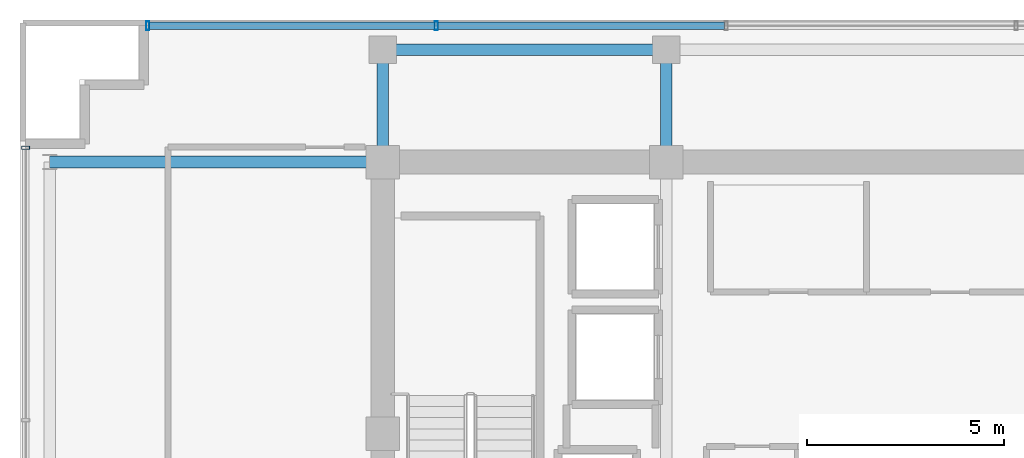
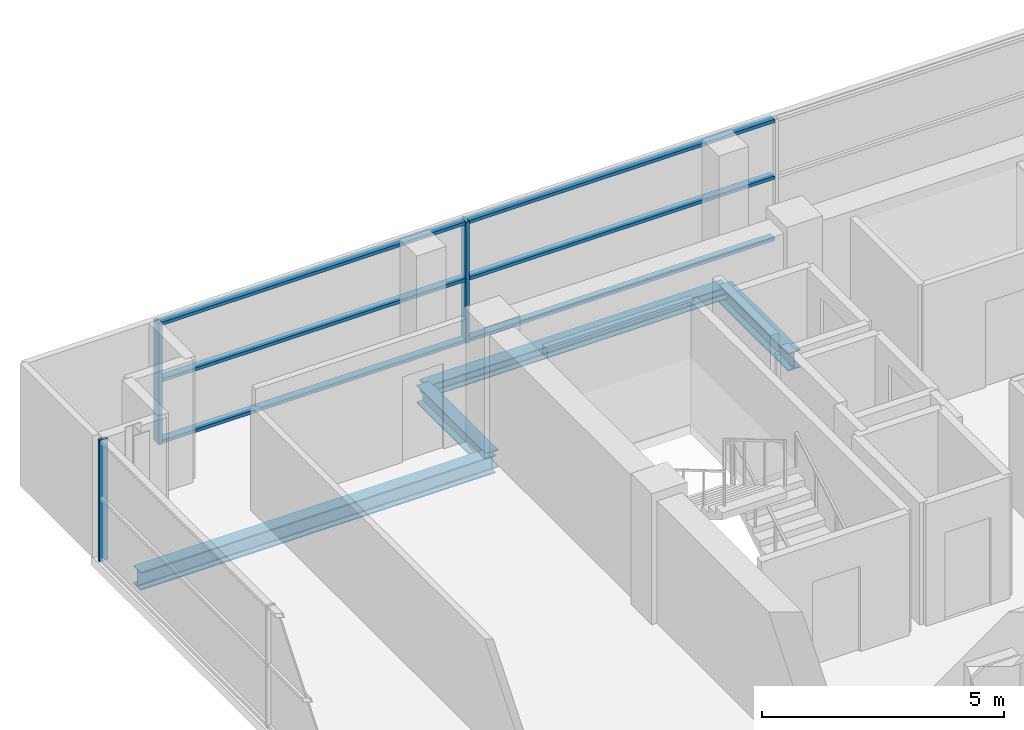
# One storey, part 12 of 22: 9 members, 4 beams, 2 elements without a shape of their own.
"""IFC4 building model written with IfcOpenShell, lengths in metres."""

import ifcopenshell
import ifcopenshell.guid

model = None  # the IFC model being written
_history = None  # IfcOwnerHistory: only IFC2X3 demands one
_inside = {}  # id of a spatial element -> (the spatial element, [elements in it])
_under = {}  # id of a project, library or spatial element -> (it, [spatial elements below it])
_declared = {}  # id of a project -> (the project, [libraries it declares])
_typed = {}  # id of a type object -> (the type object, [elements of that type])
_made_of = {}  # id of a material, layer set ... -> (it, [elements and type objects made of it])


def new_model(schema):
    """Start an empty IFC model of exactly this schema.

    Asked for "IFC4X3", IfcOpenShell would pick the latest addendum, in which some entities
    have other attributes; the version numbers below select the first issue.
    IFC2X3 requires an IfcOwnerHistory on every rooted entity: one is made here for all.
    """
    global model, _history
    if schema == "IFC4X3":
        model = ifcopenshell.file(schema_version=(4, 3, 0, 0))
    else:
        model = ifcopenshell.file(schema=schema)
    _inside.clear()
    _under.clear()
    _declared.clear()
    _typed.clear()
    _made_of.clear()
    _history = None
    if model.schema == "IFC2X3":
        org = make("IfcOrganization", Name="unknown")
        user = make(
            "IfcPersonAndOrganization",
            ThePerson=make("IfcPerson", FamilyName="unknown"),
            TheOrganization=org,
        )
        app = make(
            "IfcApplication",
            ApplicationDeveloper=org,
            Version="unknown",
            ApplicationFullName="unknown",
            ApplicationIdentifier="unknown",
        )
        _history = make(
            "IfcOwnerHistory",
            OwningUser=user,
            OwningApplication=app,
            ChangeAction="ADDED",
            CreationDate=0,
        )
    return model


def make(cls, **values):
    """One entity of the class cls with the attributes given. An attribute that is None is left unset."""
    return model.create_entity(
        cls, **{name: value for name, value in values.items() if value is not None}
    )


def rooted(cls, **values):
    """An entity with a GlobalId (a new one), such as an element, a storey or a relation."""
    return make(cls, GlobalId=ifcopenshell.guid.new(), OwnerHistory=_history, **values)


def si_unit(unit_type, name, prefix=None):
    """IfcSIUnit, for example si_unit("LENGTHUNIT", "METRE", prefix="MILLI")."""
    return make("IfcSIUnit", UnitType=unit_type, Prefix=prefix, Name=name)


def assignment(units):
    """IfcUnitAssignment: the units of a project."""
    return None if units is None else make("IfcUnitAssignment", Units=units)


def point(xyz):
    """IfcCartesianPoint."""
    return None if xyz is None else make("IfcCartesianPoint", Coordinates=xyz)


def direction(xyz):
    """IfcDirection."""
    return None if xyz is None else make("IfcDirection", DirectionRatios=xyz)


def frame(location, z_axis=None, x_axis=None):
    """IfcAxis2Placement3D, a coordinate frame: its origin and axes. An axis left out is left unset."""
    return make(
        "IfcAxis2Placement3D",
        Location=point(location),
        Axis=direction(z_axis),
        RefDirection=direction(x_axis),
    )


def frame_2d(location, x_axis=None):
    """IfcAxis2Placement2D, a coordinate frame in the plane: its origin and x axis."""
    return make(
        "IfcAxis2Placement2D", Location=point(location), RefDirection=direction(x_axis)
    )


def origin():
    """The frame at (0, 0, 0) with its axes left unset."""
    return frame((0.0, 0.0, 0.0))


def origin_2d():
    """The frame at (0, 0) in the plane with its x axis left unset."""
    return frame_2d((0.0, 0.0))


def place(relative_to, where):
    """IfcLocalPlacement: puts the frame where relative to a parent placement (None: the world)."""
    return make(
        "IfcLocalPlacement", PlacementRelTo=relative_to, RelativePlacement=where
    )


def context(
    kind, dimensions, precision=None, world=None, true_north=None, identifier=None
):
    """IfcGeometricRepresentationContext, for example the 3D "Model" context."""
    return make(
        "IfcGeometricRepresentationContext",
        ContextIdentifier=identifier,
        ContextType=kind,
        CoordinateSpaceDimension=dimensions,
        Precision=precision,
        WorldCoordinateSystem=world,
        TrueNorth=true_north,
    )


def subcontext(parent, identifier, kind, view, scale=None):
    """IfcGeometricRepresentationSubContext, for example "Body" below "Model"."""
    return make(
        "IfcGeometricRepresentationSubContext",
        ContextIdentifier=identifier,
        ContextType=kind,
        ParentContext=parent,
        TargetScale=scale,
        TargetView=view,
    )


def project(units=None, contexts=None):
    """IfcProject with its units and contexts."""
    return rooted(
        "IfcProject",
        Name="project",
        RepresentationContexts=contexts,
        UnitsInContext=assignment(units),
    )


def spatial(cls, under=None, at=None, **own):
    """A site, building, storey or space (cls), placed at a placement, below another one or the project."""
    s = rooted(cls, ObjectPlacement=at, **own)
    if under is not None:
        _under.setdefault(under.id(), (under, []))[1].append(s)
    return s


def profile(cls, at=None, kind="AREA", **sizes):
    """A parametric profile (cls). Its sizes go by their IFC names, for example OverallWidth=200.0."""
    return make(cls, ProfileType=kind, Position=at, **sizes)


def hollow_rectangle(**sizes):
    """IfcRectangleHollowProfileDef."""
    return profile("IfcRectangleHollowProfileDef", **sizes)


def i_section(**sizes):
    """IfcIShapeProfileDef."""
    return profile("IfcIShapeProfileDef", **sizes)


def extrude(swept, where, along, depth):
    """IfcExtrudedAreaSolid: the profile swept, set in the frame where, extruded along a direction by depth."""
    return make(
        "IfcExtrudedAreaSolid",
        SweptArea=swept,
        Position=where,
        ExtrudedDirection=direction(along),
        Depth=depth,
    )


def shape(context_of_items, identifier, shape_type, items):
    """IfcShapeRepresentation: the items that make up one representation, for example the "Body"."""
    return make(
        "IfcShapeRepresentation",
        ContextOfItems=context_of_items,
        RepresentationIdentifier=identifier,
        RepresentationType=shape_type,
        Items=items,
    )


def source(mapping_origin, context_of_items, identifier, shape_type, items):
    """IfcRepresentationMap: a shape defined once, which mapped items show again and again."""
    return make(
        "IfcRepresentationMap",
        MappingOrigin=mapping_origin,
        MappedRepresentation=shape(context_of_items, identifier, shape_type, items),
    )


def transform(
    local_origin,
    x_axis=None,
    y_axis=None,
    z_axis=None,
    scale=None,
    scale2=None,
    scale3=None,
    uniform=True,
):
    """IfcCartesianTransformationOperator3D, or its non-uniform kind. x_axis, y_axis, z_axis: its Axis1, 2, 3."""
    if uniform:
        return make(
            "IfcCartesianTransformationOperator3D",
            Axis1=direction(x_axis),
            Axis2=direction(y_axis),
            LocalOrigin=point(local_origin),
            Scale=scale,
            Axis3=direction(z_axis),
        )
    return make(
        "IfcCartesianTransformationOperator3DnonUniform",
        Axis1=direction(x_axis),
        Axis2=direction(y_axis),
        LocalOrigin=point(local_origin),
        Scale=scale,
        Axis3=direction(z_axis),
        Scale2=scale2,
        Scale3=scale3,
    )


def mapped(mapping_source, mapping_target):
    """IfcMappedItem: shows the shape of a source again, moved by a transform."""
    return make(
        "IfcMappedItem", MappingSource=mapping_source, MappingTarget=mapping_target
    )


def material(Name=None, Category=None):
    """IfcMaterial."""
    return make("IfcMaterial", Name=Name, Category=Category)


def layer(
    of_material, thickness, ventilated=None, Name=None, Category=None, Priority=None
):
    """IfcMaterialLayer: one layer of a wall or slab, of a material (None: an air gap)."""
    return make(
        "IfcMaterialLayer",
        Material=of_material,
        LayerThickness=thickness,
        IsVentilated=ventilated,
        Name=Name,
        Category=Category,
        Priority=Priority,
    )


def layer_set(layers, Name=None):
    """IfcMaterialLayerSet."""
    return make("IfcMaterialLayerSet", MaterialLayers=layers, LayerSetName=Name)


def material_profile(
    of_material, cross_section, Name=None, Category=None, Priority=None
):
    """IfcMaterialProfile: a cross section and its material."""
    return make(
        "IfcMaterialProfile",
        Name=Name,
        Material=of_material,
        Profile=cross_section,
        Priority=Priority,
        Category=Category,
    )


def profile_set(profiles, Name=None, composite=None):
    """IfcMaterialProfileSet."""
    return make(
        "IfcMaterialProfileSet",
        Name=Name,
        MaterialProfiles=profiles,
        CompositeProfile=composite,
    )


def made_of(thing, what):
    """Note that an element or type object is made of a material, layer set ...; save() writes the relation."""
    if what is not None:
        _made_of.setdefault(what.id(), (what, []))[1].append(thing)
    return thing


def type_object(cls, material=None, **own):
    """A type object (cls), such as IfcWallType, which elements share."""
    return made_of(rooted(cls, **own), material)


def element(
    cls,
    number,
    at=None,
    inside=None,
    cuts=None,
    type_object=None,
    material=None,
    context=None,
    identifier="Body",
    shape_type=None,
    held_by="IfcProductDefinitionShape",
    body=None,
    shapes=None,
    **own,
):
    """One element of the class cls, such as IfcWall. Its Tag is "e" and its number.

    at: its placement. inside: the storey or other place that contains it. cuts: it is an
    opening in that element (IfcRelVoidsElement). A single representation is given by context,
    identifier, shape_type and body (its items); several are given by shapes. held_by: the class
    of the entity that holds the representations. save() writes the other relations.
    """
    e = rooted(cls, Tag="e%d" % number, ObjectPlacement=at, **own)
    if body is not None:
        shapes = [shape(context, identifier, shape_type, body)]
    if shapes is not None:
        e.Representation = make(held_by, Representations=shapes)
    if inside is not None:
        _inside.setdefault(inside.id(), (inside, []))[1].append(e)
    if cuts is not None:
        rooted(
            "IfcRelVoidsElement", RelatingBuildingElement=cuts, RelatedOpeningElement=e
        )
    if type_object is not None:
        _typed.setdefault(type_object.id(), (type_object, []))[1].append(e)
    return made_of(e, material)


def aggregate(whole, parts):
    """IfcRelAggregates: a whole, such as a stair, and the parts it consists of."""
    return rooted("IfcRelAggregates", RelatingObject=whole, RelatedObjects=parts)


def save(model, path):
    """Write the relations noted so far, then the file.

    IfcRelAggregates (storeys below a building ...), IfcRelContainedInSpatialStructure (elements
    in a storey), IfcRelDefinesByType, IfcRelAssociatesMaterial and IfcRelDeclares: one each for
    every whole, place, type object, material and project.
    """
    for whole, parts in _under.values():
        aggregate(whole, parts)
    for where, things in _inside.values():
        rooted(
            "IfcRelContainedInSpatialStructure",
            RelatedElements=things,
            RelatingStructure=where,
        )
    for kind, things in _typed.values():
        rooted("IfcRelDefinesByType", RelatedObjects=things, RelatingType=kind)
    for what, things in _made_of.values():
        rooted("IfcRelAssociatesMaterial", RelatedObjects=things, RelatingMaterial=what)
    for by, libraries in _declared.values():
        rooted("IfcRelDeclares", RelatingContext=by, RelatedDefinitions=libraries)
    model.write(path)


model = new_model("IFC4")

# Units and contexts
model_context = context("Model", 3, precision=1e-05, world=origin(), true_north=direction((0.0, 1.0)))
body_context = subcontext(model_context, "Body", "Model", "MODEL_VIEW")
ifc_project = project(units=[si_unit("LENGTHUNIT", "METRE"), si_unit("AREAUNIT", "SQUARE_METRE"), si_unit("VOLUMEUNIT", "CUBIC_METRE"), si_unit("PLANEANGLEUNIT", "RADIAN"), si_unit("MASSUNIT", "GRAM", prefix="KILO")], contexts=[model_context])

# Site, building, storey
site_placement = place(None, origin())
site = spatial("IfcSite", under=ifc_project, at=site_placement, CompositionType="ELEMENT")
building_placement = place(site_placement, origin())
building = spatial("IfcBuilding", under=site, at=building_placement, Name="Zarnakvel Exchange Tower", CompositionType="ELEMENT")
storey_placement = place(building_placement, frame((0.0, 0.0, 225.39990234375)))
storey = spatial("IfcBuildingStorey", under=building, at=storey_placement, Name="L63", CompositionType="ELEMENT", Elevation=225.39990234375)

# Beams
ifc_material_1 = material(Name="Steel S355", Category="steel")
ifc_material_profile_1 = material_profile(ifc_material_1, i_section(OverallWidth=0.300048828125, OverallDepth=0.449951171875, WebThickness=0.013916015625, FlangeThickness=0.02587890625, FilletRadius=0.027099609375, at=origin_2d()))
ifc_profile_set_1 = profile_set([ifc_material_profile_1], Name="Steel S355")
beam_type_1 = type_object("IfcBeamType", Name="G-07", PredefinedType="BEAM", material=ifc_profile_set_1)
beam_1_placement = place(storey_placement, frame((-22.85009765625, 13.5, -0.449951171875), z_axis=(1.0, 0.0, 0.0), x_axis=(0.0, 1.0, 0.0)))
element("IfcBeam", 1, at=beam_1_placement, inside=storey, type_object=beam_type_1, Name="L63 Tower E-W Frame Beam", PredefinedType="BEAM", context=body_context, shape_type="SweptSolid", body=[
    extrude(i_section(OverallWidth=0.300048828125, OverallDepth=0.449951171875, WebThickness=0.013916015625, FlangeThickness=0.02587890625, FilletRadius=0.027099609375, at=origin_2d()), origin(), (0.0, 0.0, 1.0), 8.4501953125),
])
for number, where, z_axis, x_axis, name in (
    (2, (-14.39990234375, 13.5, -0.449951171875), (0.0, 1.0, 0.0), (-1.0, 0.0, 0.0), "L63 Tower N-S Frame Beam"),
    (3, (-7.199951171875, 13.5, -0.449951171875), (0.0, 1.0, 0.0), (-1.0, 0.0, 0.0), "L63 Tower N-S Frame Beam"),
):
    element("IfcBeam", number, at=place(storey_placement, frame(where, z_axis=z_axis, x_axis=x_axis)), inside=storey, type_object=beam_type_1, Name=name, PredefinedType="BEAM", context=body_context, shape_type="SweptSolid", body=[
        extrude(i_section(OverallWidth=0.300048828125, OverallDepth=0.449951171875, WebThickness=0.013916015625, FlangeThickness=0.02587890625, FilletRadius=0.027099609375, at=origin_2d()), origin(), (0.0, 0.0, 1.0), 2.85009765625),
    ])
ifc_material_profile_2 = material_profile(ifc_material_1, i_section(OverallWidth=0.300048828125, OverallDepth=0.300048828125, WebThickness=0.010986328125, FlangeThickness=0.01904296875, FilletRadius=0.027099609375, at=origin_2d()))
ifc_profile_set_2 = profile_set([ifc_material_profile_2], Name="Steel S355")
beam_type_2 = type_object("IfcBeamType", Name="SP-03", PredefinedType="SPANDREL", material=ifc_profile_set_2)
beam_2_placement = place(storey_placement, frame((-14.39990234375, 16.35009765625, -0.375), z_axis=(1.0, 0.0, 0.0), x_axis=(0.0, 1.0, 0.0)))
element("IfcBeam", 4, at=beam_2_placement, inside=storey, type_object=beam_type_2, Name="L63 Tower E-W Frame Beam", PredefinedType="SPANDREL", context=body_context, shape_type="SweptSolid", body=[
    extrude(i_section(OverallWidth=0.300048828125, OverallDepth=0.300048828125, WebThickness=0.010986328125, FlangeThickness=0.01904296875, FilletRadius=0.027099609375, at=origin_2d()), origin(), (0.0, 0.0, 1.0), 7.199951171875),
])

# Curtain wall, member
ifc_material_2 = material(Name="Architectural Bronze Anodised Aluminium", Category="aluminium")
ifc_layer_1 = layer(ifc_material_2, 0.199951171875)
ifc_layer_set_1 = layer_set([ifc_layer_1], Name="Architectural Bronze Anodised Aluminium")
curtain_wall_type_1 = type_object("IfcCurtainWallType", Name="CW-04", PredefinedType="NOTDEFINED", material=ifc_layer_set_1)
curtain_wall_1_placement = place(storey_placement, origin())
curtain_wall_1 = element("IfcCurtainWall", 5, at=curtain_wall_1_placement, inside=storey, type_object=curtain_wall_type_1, Name="L63 Curtain Wall CW-L63-W1 (CW-04)", PredefinedType="NOTDEFINED")
ifc_material_profile_3 = material_profile(ifc_material_2, hollow_rectangle(XDim=0.199951171875, YDim=0.074951171875, WallThickness=0.0048828125, at=origin_2d()))
ifc_profile_set_3 = profile_set([ifc_material_profile_3], Name="Architectural Bronze Anodised Aluminium")
member_type_1 = type_object("IfcMemberType", Name="CWM-04", PredefinedType="MULLION", material=ifc_profile_set_3)
shared_shape_1 = source(origin(), body_context, "Body", "SweptSolid", [
    extrude(hollow_rectangle(XDim=0.199951171875, YDim=0.074951171875, WallThickness=0.0048828125, at=origin_2d()), origin(), (0.0, 0.0, 1.0), 3.05517578125),
])
member_1_placement = place(storey_placement, frame((-23.4599609375, 13.862548828125, 0.0), z_axis=(0.0, 0.0, 1.0), x_axis=(-1.0, 0.0, 0.0)))
member_1 = element("IfcMember", 6, at=member_1_placement, type_object=member_type_1, Name="CW-04 mullion 5", PredefinedType="MULLION", context=body_context, shape_type="MappedRepresentation", body=[
    mapped(shared_shape_1, transform((0.0, 0.0, 0.0), x_axis=(1.0, 0.0, 0.0), y_axis=(0.0, 1.0, 0.0), z_axis=(0.0, 0.0, 1.0), scale=1.0)),
])
aggregate(curtain_wall_1, [member_1])

# Curtain wall, members
ifc_layer_2 = layer(ifc_material_2, 0.219970703125)
ifc_layer_set_2 = layer_set([ifc_layer_2], Name="Architectural Bronze Anodised Aluminium")
curtain_wall_type_2 = type_object("IfcCurtainWallType", Name="CW-03", PredefinedType="NOTDEFINED", material=ifc_layer_set_2)
curtain_wall_2_placement = place(storey_placement, origin())
curtain_wall_2 = element("IfcCurtainWall", 7, at=curtain_wall_2_placement, inside=storey, type_object=curtain_wall_type_2, Name="L63 Curtain Wall CW-L63-N1 (CW-03)", PredefinedType="NOTDEFINED")
ifc_material_profile_4 = material_profile(ifc_material_2, hollow_rectangle(XDim=0.219970703125, YDim=0.080078125, WallThickness=0.0048828125, at=origin_2d()))
ifc_profile_set_4 = profile_set([ifc_material_profile_4], Name="Architectural Bronze Anodised Aluminium")
member_type_2 = type_object("IfcMemberType", Name="CWM-03", PredefinedType="MULLION", material=ifc_profile_set_4)
shared_shape_2 = source(origin(), body_context, "Body", "SweptSolid", [
    extrude(hollow_rectangle(XDim=0.219970703125, YDim=0.080078125, WallThickness=0.0048828125, at=origin_2d()), origin(), (0.0, 0.0, 1.0), 3.05517578125),
])
member_2_placement = place(storey_placement, frame((-20.360107421875, 16.9599609375, 0.0), z_axis=(0.0, 0.0, 1.0), x_axis=(0.0, 1.0, 0.0)))
member_2 = element("IfcMember", 8, at=member_2_placement, type_object=member_type_2, Name="CW-03 mullion 1", PredefinedType="MULLION", context=body_context, shape_type="MappedRepresentation", body=[
    mapped(shared_shape_2, transform((0.0, 0.0, 0.0), x_axis=(1.0, 0.0, 0.0), y_axis=(0.0, 1.0, 0.0), z_axis=(0.0, 0.0, 1.0), scale=1.0)),
])
member_3_placement = place(storey_placement, frame((-13.0400390625, 16.9599609375, 0.0), z_axis=(0.0, 0.0, 1.0), x_axis=(0.0, 1.0, 0.0)))
member_3 = element("IfcMember", 9, at=member_3_placement, type_object=member_type_2, Name="CW-03 mullion 2", PredefinedType="MULLION", context=body_context, shape_type="MappedRepresentation", body=[
    mapped(shared_shape_2, transform((0.0, 0.0, 0.0), x_axis=(1.0, 0.0, 0.0), y_axis=(0.0, 1.0, 0.0), z_axis=(0.0, 0.0, 1.0), scale=1.0)),
])
ifc_material_profile_5 = material_profile(ifc_material_2, hollow_rectangle(XDim=0.179931640625, YDim=0.080078125, WallThickness=0.00390625, at=origin_2d()))
ifc_profile_set_5 = profile_set([ifc_material_profile_5], Name="Architectural Bronze Anodised Aluminium")
member_type_3 = type_object("IfcMemberType", Name="CWT-03", PredefinedType="USERDEFINED", material=ifc_profile_set_5)
shared_shape_3 = source(origin(), body_context, "Body", "SweptSolid", [
    extrude(hollow_rectangle(XDim=0.179931640625, YDim=0.080078125, WallThickness=0.00390625, at=origin_2d()), origin(), (0.0, 0.0, 1.0), 7.239990234375),
])
member_4_placement = place(storey_placement, frame((-20.320068359375, 16.9599609375, 0.0400390625), z_axis=(1.0, 0.0, 0.0), x_axis=(0.0, 1.0, 0.0)))
member_4 = element("IfcMember", 10, at=member_4_placement, type_object=member_type_3, Name="CW-03 transom 1.1", ObjectType="TRANSOM", PredefinedType="USERDEFINED", context=body_context, shape_type="MappedRepresentation", body=[
    mapped(shared_shape_3, transform((0.0, 0.0, 0.0), x_axis=(1.0, 0.0, 0.0), y_axis=(0.0, 1.0, 0.0), z_axis=(0.0, 0.0, 1.0), scale=1.0)),
])
member_5_placement = place(storey_placement, frame((-20.320068359375, 16.9599609375, 1.588623046875), z_axis=(1.0, 0.0, 0.0), x_axis=(0.0, 1.0, 0.0)))
member_5 = element("IfcMember", 11, at=member_5_placement, type_object=member_type_3, Name="CW-03 transom 1.2", ObjectType="TRANSOM", PredefinedType="USERDEFINED", context=body_context, shape_type="MappedRepresentation", body=[
    mapped(shared_shape_3, transform((0.0, 0.0, 0.0), x_axis=(1.0, 0.0, 0.0), y_axis=(0.0, 1.0, 0.0), z_axis=(0.0, 0.0, 1.0), scale=1.0)),
])
member_6_placement = place(storey_placement, frame((-20.320068359375, 16.9599609375, 3.01513671875), z_axis=(1.0, 0.0, 0.0), x_axis=(0.0, 1.0, 0.0)))
member_6 = element("IfcMember", 12, at=member_6_placement, type_object=member_type_3, Name="CW-03 transom 1.3", ObjectType="TRANSOM", PredefinedType="USERDEFINED", context=body_context, shape_type="MappedRepresentation", body=[
    mapped(shared_shape_3, transform((0.0, 0.0, 0.0), x_axis=(1.0, 0.0, 0.0), y_axis=(0.0, 1.0, 0.0), z_axis=(0.0, 0.0, 1.0), scale=1.0)),
])
shared_shape_4 = source(origin(), body_context, "Body", "SweptSolid", [
    extrude(hollow_rectangle(XDim=0.179931640625, YDim=0.080078125, WallThickness=0.00390625, at=origin_2d()), origin(), (0.0, 0.0, 1.0), 7.280029296875),
])
member_7_placement = place(storey_placement, frame((-13.0, 16.9599609375, 0.0400390625), z_axis=(1.0, 0.0, 0.0), x_axis=(0.0, 1.0, 0.0)))
member_7 = element("IfcMember", 13, at=member_7_placement, type_object=member_type_3, Name="CW-03 transom 2.1", ObjectType="TRANSOM", PredefinedType="USERDEFINED", context=body_context, shape_type="MappedRepresentation", body=[
    mapped(shared_shape_4, transform((0.0, 0.0, 0.0), x_axis=(1.0, 0.0, 0.0), y_axis=(0.0, 1.0, 0.0), z_axis=(0.0, 0.0, 1.0), scale=1.0)),
])
member_8_placement = place(storey_placement, frame((-13.0, 16.9599609375, 1.588623046875), z_axis=(1.0, 0.0, 0.0), x_axis=(0.0, 1.0, 0.0)))
member_8 = element("IfcMember", 14, at=member_8_placement, type_object=member_type_3, Name="CW-03 transom 2.2", ObjectType="TRANSOM", PredefinedType="USERDEFINED", context=body_context, shape_type="MappedRepresentation", body=[
    mapped(shared_shape_4, transform((0.0, 0.0, 0.0), x_axis=(1.0, 0.0, 0.0), y_axis=(0.0, 1.0, 0.0), z_axis=(0.0, 0.0, 1.0), scale=1.0)),
])
member_9_placement = place(storey_placement, frame((-13.0, 16.9599609375, 3.01513671875), z_axis=(1.0, 0.0, 0.0), x_axis=(0.0, 1.0, 0.0)))
member_9 = element("IfcMember", 15, at=member_9_placement, type_object=member_type_3, Name="CW-03 transom 2.3", ObjectType="TRANSOM", PredefinedType="USERDEFINED", context=body_context, shape_type="MappedRepresentation", body=[
    mapped(shared_shape_4, transform((0.0, 0.0, 0.0), x_axis=(1.0, 0.0, 0.0), y_axis=(0.0, 1.0, 0.0), z_axis=(0.0, 0.0, 1.0), scale=1.0)),
])
aggregate(curtain_wall_2, [member_2, member_3, member_4, member_5, member_6, member_7, member_8, member_9])

save(model, "model.ifc")
